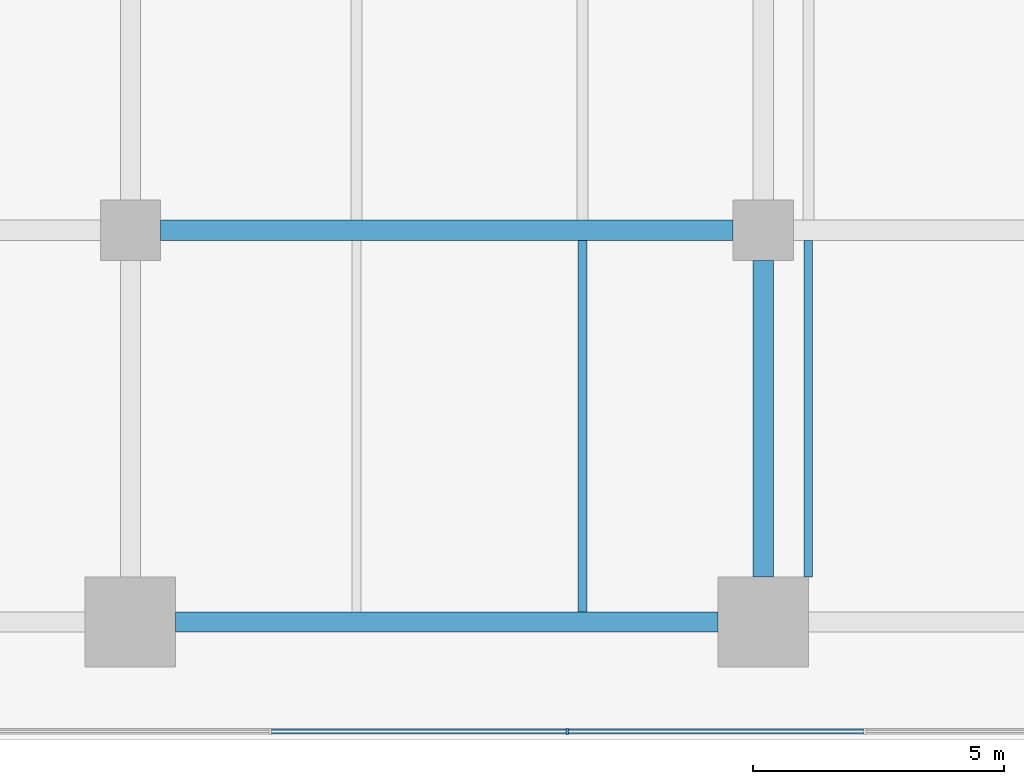
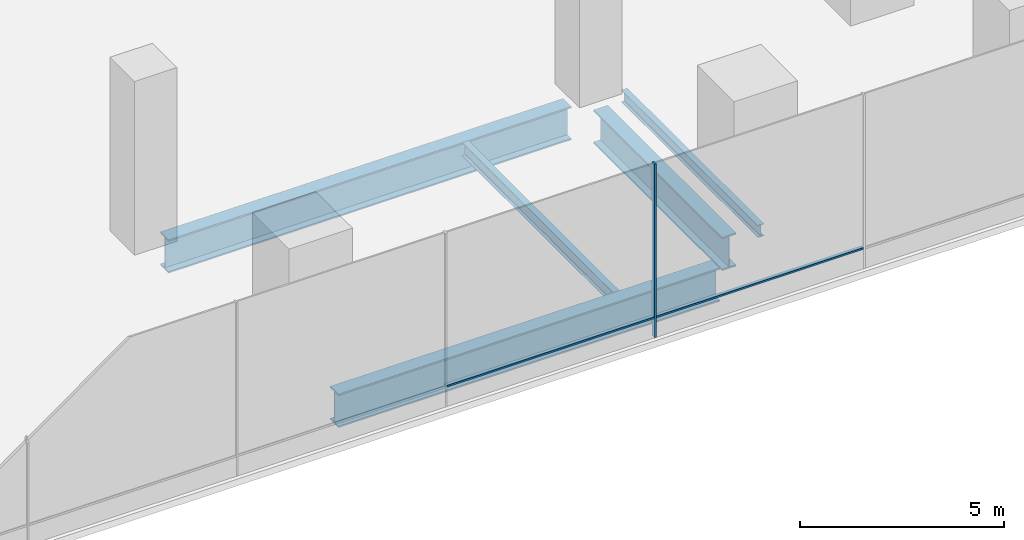
# One storey, part 7 of 26: 5 beams, 3 members, 1 element without a shape of its own.
"""IFC4 building model written with IfcOpenShell, lengths in metres."""

from ifc_helpers import new_model, si_unit, direction, frame, origin, origin_2d, place, context, subcontext, project, spatial, rectangle, i_section, extrude, material, layer, layer_set, material_profile, profile_set, type_object, element, aggregate, save


model = new_model("IFC4")

# Units and contexts
model_context = context("Model", 3, precision=1e-05, world=origin(), true_north=direction((0.0, 1.0)))
body_context = subcontext(model_context, "Body", "Model", "MODEL_VIEW")
ifc_project = project(units=[si_unit("LENGTHUNIT", "METRE"), si_unit("AREAUNIT", "SQUARE_METRE"), si_unit("VOLUMEUNIT", "CUBIC_METRE"), si_unit("PLANEANGLEUNIT", "RADIAN"), si_unit("MASSUNIT", "GRAM", prefix="KILO")], contexts=[model_context])

# Site, building, storey
site_placement = place(None, origin())
site = spatial("IfcSite", under=ifc_project, at=site_placement, CompositionType="ELEMENT")
building_placement = place(site_placement, origin())
building = spatial("IfcBuilding", under=site, at=building_placement, Name="Rattan Terrace Tower", CompositionType="ELEMENT")
storey_placement = place(building_placement, frame((0.0, 0.0, 7.199951171875)))
storey = spatial("IfcBuildingStorey", under=building, at=storey_placement, Name="L01", CompositionType="ELEMENT", Elevation=7.199951171875)

# Beams
ifc_material_1 = material(Name="Steel S355", Category="steel")
ifc_material_profile_1 = material_profile(ifc_material_1, i_section(OverallWidth=0.169921875, OverallDepth=0.360107421875, WebThickness=0.008056640625, FlangeThickness=0.0126953125, FilletRadius=0.01806640625, at=origin_2d()), Name="IPE 360")
ifc_profile_set_1 = profile_set([ifc_material_profile_1], Name="Steel S355")
beam_type_1 = type_object("IfcBeamType", Name="Frame floor beam IPE 360", PredefinedType="JOIST", material=ifc_profile_set_1)
beam_1_placement = place(storey_placement, frame((27.0, -34.0, -0.3798828125), z_axis=(0.0, 1.0, 0.0), x_axis=(-1.0, 0.0, 0.0)))
element("IfcBeam", 1, at=beam_1_placement, inside=storey, type_object=beam_type_1, Name="bm-L01-014", PredefinedType="JOIST", context=body_context, shape_type="SweptSolid", body=[
    extrude(i_section(OverallWidth=0.169921875, OverallDepth=0.360107421875, WebThickness=0.008056640625, FlangeThickness=0.0126953125, FilletRadius=0.01806640625, at=origin_2d()), origin(), (0.0, 0.0, 1.0), 6.699951171875),
])
ifc_material_2 = material(Name="Steel S355", Category="steel")
ifc_material_profile_2 = material_profile(ifc_material_2, i_section(OverallWidth=0.179931640625, OverallDepth=0.39990234375, WebThickness=0.008544921875, FlangeThickness=0.013427734375, FilletRadius=0.02099609375, at=origin_2d()), Name="IPE 400")
ifc_profile_set_2 = profile_set([ifc_material_profile_2], Name="Steel S355")
beam_type_2 = type_object("IfcBeamType", Name="Frame floor beam IPE 400", PredefinedType="JOIST", material=ifc_profile_set_2)
beam_2_placement = place(storey_placement, frame((22.5, -34.699951171875, -0.39990234375), z_axis=(0.0, 1.0, 0.0), x_axis=(-1.0, 0.0, 0.0)))
element("IfcBeam", 2, at=beam_2_placement, inside=storey, type_object=beam_type_2, Name="bm-L01-011", PredefinedType="JOIST", context=body_context, shape_type="SweptSolid", body=[
    extrude(i_section(OverallWidth=0.179931640625, OverallDepth=0.39990234375, WebThickness=0.008544921875, FlangeThickness=0.013427734375, FilletRadius=0.02099609375, at=origin_2d()), origin(), (0.0, 0.0, 1.0), 7.39990234375),
])
ifc_material_3 = material(Name="Steel S460", Category="steel")
ifc_material_profile_3 = material_profile(ifc_material_3, i_section(OverallWidth=0.39990234375, OverallDepth=1.0, WebThickness=0.01806640625, FlangeThickness=0.044921875, at=origin_2d()), Name="PG 1000x400-18-45")
ifc_profile_set_3 = profile_set([ifc_material_profile_3], Name="Steel S460")
beam_type_3 = type_object("IfcBeamType", Name="Frame podium girder PG 1000x400-18-45", PredefinedType="USERDEFINED", material=ifc_profile_set_3)
beam_3_placement = place(storey_placement, frame((14.39990234375, -34.89990234375, -0.699951171875), z_axis=(1.0, 0.0, 0.0), x_axis=(0.0, 1.0, 0.0)))
element("IfcBeam", 3, at=beam_3_placement, inside=storey, type_object=beam_type_3, Name="gdr-L01-005", ObjectType="PODIUM GIRDER", PredefinedType="USERDEFINED", context=body_context, shape_type="SweptSolid", body=[
    extrude(i_section(OverallWidth=0.39990234375, OverallDepth=1.0, WebThickness=0.01806640625, FlangeThickness=0.044921875, at=origin_2d()), origin(), (0.0, 0.0, 1.0), 10.800048828125),
])
beam_4_placement = place(storey_placement, frame((26.10009765625, -34.0, -0.699951171875), z_axis=(0.0, 1.0, 0.0), x_axis=(-1.0, 0.0, 0.0)))
element("IfcBeam", 4, at=beam_4_placement, inside=storey, type_object=beam_type_3, Name="gdr-L01-012", ObjectType="PODIUM GIRDER", PredefinedType="USERDEFINED", context=body_context, shape_type="SweptSolid", body=[
    extrude(i_section(OverallWidth=0.39990234375, OverallDepth=1.0, WebThickness=0.01806640625, FlangeThickness=0.044921875, at=origin_2d()), origin(), (0.0, 0.0, 1.0), 6.300048828125),
])
beam_5_placement = place(storey_placement, frame((14.10009765625, -27.10009765625, -0.699951171875), z_axis=(1.0, 0.0, 0.0), x_axis=(0.0, 1.0, 0.0)))
element("IfcBeam", 5, at=beam_5_placement, inside=storey, type_object=beam_type_3, Name="gdr-L01-018", ObjectType="PODIUM GIRDER", PredefinedType="USERDEFINED", context=body_context, shape_type="SweptSolid", body=[
    extrude(i_section(OverallWidth=0.39990234375, OverallDepth=1.0, WebThickness=0.01806640625, FlangeThickness=0.044921875, at=origin_2d()), origin(), (0.0, 0.0, 1.0), 11.39990234375),
])

# Curtain wall, members
ifc_material_4 = material(Name="Aluminium and glass", Category="aluminium")
ifc_layer = layer(ifc_material_4, 0.1201171875)
ifc_layer_set = layer_set([ifc_layer], Name="Station Storefront Curtain Wall")
curtain_wall_type = type_object("IfcCurtainWallType", Name="Station Storefront Curtain Wall", PredefinedType="NOTDEFINED", material=ifc_layer_set)
curtain_wall_placement = place(storey_placement, origin())
curtain_wall = element("IfcCurtainWall", 6, at=curtain_wall_placement, inside=storey, type_object=curtain_wall_type, Name="Storefront curtain wall L01-4", PredefinedType="NOTDEFINED")
ifc_material_5 = material(Name="Aluminium", Category="aluminium")
ifc_material_profile_4 = material_profile(ifc_material_5, rectangle(XDim=0.050048828125, YDim=0.1201171875, at=origin_2d()), Name="Aluminium 50x120")
ifc_profile_set_4 = profile_set([ifc_material_profile_4], Name="Aluminium")
member_type_1 = type_object("IfcMemberType", Name="Storefront CW Mullion 50x120", PredefinedType="MULLION", material=ifc_profile_set_4)
member_1_placement = place(storey_placement, frame((22.199951171875, -37.080078125, 0.0), z_axis=(0.0, 0.0, 1.0), x_axis=(1.0, 0.0, 0.0)))
member_1 = element("IfcMember", 7, at=member_1_placement, type_object=member_type_1, Name="Mullion cwl-L01-004.11", PredefinedType="MULLION", context=body_context, shape_type="SweptSolid", body=[
    extrude(rectangle(XDim=0.050048828125, YDim=0.1201171875, at=origin_2d()), origin(), (0.0, 0.0, 1.0), 5.199951171875),
])
ifc_material_6 = material(Name="Aluminium", Category="aluminium")
ifc_material_profile_5 = material_profile(ifc_material_6, rectangle(XDim=0.10009765625, YDim=0.050048828125, at=origin_2d()), Name="Aluminium 100x50")
ifc_profile_set_5 = profile_set([ifc_material_profile_5], Name="Aluminium")
member_type_2 = type_object("IfcMemberType", Name="Storefront CW Transom 100x50", PredefinedType="USERDEFINED", material=ifc_profile_set_5)
member_2_placement = place(storey_placement, frame((16.304931640625, -37.080078125, 0.60009765625), z_axis=(1.0, 0.0, 0.0), x_axis=(0.0, 1.0, 0.0)))
member_2 = element("IfcMember", 8, at=member_2_placement, type_object=member_type_2, Name="Transom cwl-L01-004.10", ObjectType="TRANSOM", PredefinedType="USERDEFINED", context=body_context, shape_type="SweptSolid", body=[
    extrude(rectangle(XDim=0.10009765625, YDim=0.050048828125, at=origin_2d()), origin(), (0.0, 0.0, 1.0), 5.8701171875),
])
member_3_placement = place(storey_placement, frame((22.22509765625, -37.080078125, 0.60009765625), z_axis=(1.0, 0.0, 0.0), x_axis=(0.0, 1.0, 0.0)))
member_3 = element("IfcMember", 9, at=member_3_placement, type_object=member_type_2, Name="Transom cwl-L01-004.11", ObjectType="TRANSOM", PredefinedType="USERDEFINED", context=body_context, shape_type="SweptSolid", body=[
    extrude(rectangle(XDim=0.10009765625, YDim=0.050048828125, at=origin_2d()), origin(), (0.0, 0.0, 1.0), 5.869873046875),
])
aggregate(curtain_wall, [member_1, member_2, member_3])

save(model, "model.ifc")
